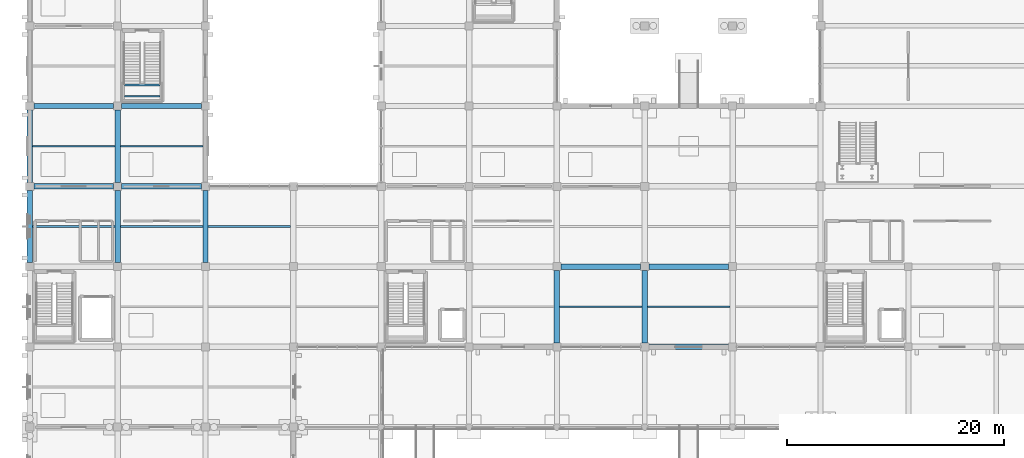
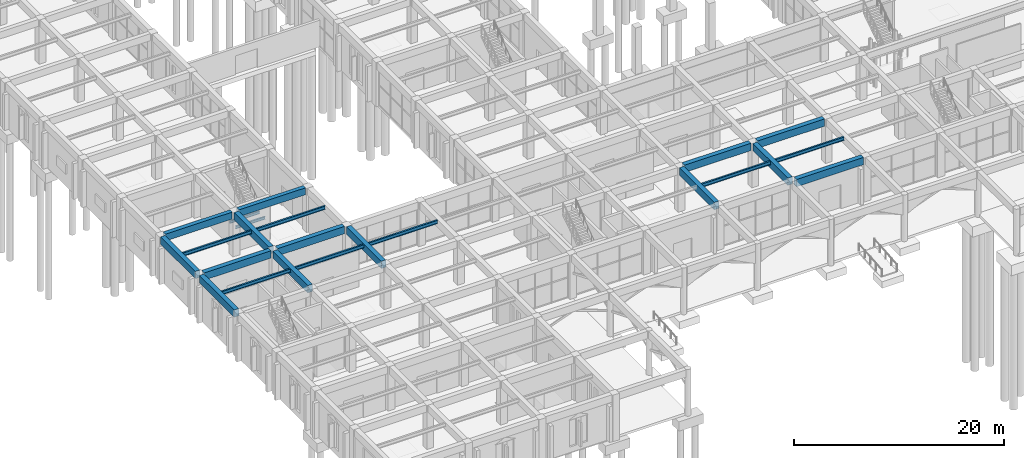
# One storey, part 11 of 140: 23 beams.
"""IFC4 building model written with IfcOpenShell, lengths in metres."""

from ifc_helpers import new_model, si_unit, direction, frame, origin, origin_2d, place, context, subcontext, project, spatial, rectangle, i_section, extrude, material, material_profile, profile_set, type_object, element, save


model = new_model("IFC4")

# Units and contexts
model_context = context("Model", 3, precision=1e-05, world=origin(), true_north=direction((0.0, 1.0)))
body_context = subcontext(model_context, "Body", "Model", "MODEL_VIEW")
ifc_project = project(units=[si_unit("LENGTHUNIT", "METRE"), si_unit("AREAUNIT", "SQUARE_METRE"), si_unit("VOLUMEUNIT", "CUBIC_METRE"), si_unit("PLANEANGLEUNIT", "RADIAN"), si_unit("MASSUNIT", "GRAM", prefix="KILO")], contexts=[model_context])

# Site, building, storey
site_placement = place(None, origin())
site = spatial("IfcSite", under=ifc_project, at=site_placement, CompositionType="ELEMENT")
building_placement = place(site_placement, origin())
building = spatial("IfcBuilding", under=site, at=building_placement, Name="Cimatlan Art Gallery", CompositionType="ELEMENT")
storey_placement = place(building_placement, origin())
storey = spatial("IfcBuildingStorey", under=building, at=storey_placement, Name="L00", CompositionType="ELEMENT", Elevation=0.0)

# Beams
ifc_material_1 = material(Name="Concrete C40/50", Category="concrete")
ifc_material_profile_1 = material_profile(ifc_material_1, rectangle(XDim=0.449951171875, YDim=0.800048828125, at=origin_2d()), Name="RC450X800")
ifc_profile_set_1 = profile_set([ifc_material_profile_1], Name="Concrete C40/50")
beam_type_1 = type_object("IfcBeamType", Name="BM-RC-450X800", PredefinedType="BEAM", material=ifc_profile_set_1)
beam_1_placement = place(storey_placement, frame((2.375, 46.10009765625, 4.735107421875), z_axis=(1.0, 0.0, 0.0), x_axis=(0.0, 1.0, 0.0)))
element("IfcBeam", 1, at=beam_1_placement, inside=storey, type_object=beam_type_1, Name="BM-X-L00-00-06", PredefinedType="BEAM", context=body_context, shape_type="SweptSolid", body=[
    extrude(rectangle(XDim=0.449951171875, YDim=0.800048828125, at=origin_2d()), origin(), (0.0, 0.0, 1.0), 7.35009765625),
])
beam_2_placement = place(storey_placement, frame((10.47509765625, 46.10009765625, 4.735107421875), z_axis=(1.0, 0.0, 0.0), x_axis=(0.0, 1.0, 0.0)))
element("IfcBeam", 2, at=beam_2_placement, inside=storey, type_object=beam_type_1, Name="BM-X-L00-01-06", PredefinedType="BEAM", context=body_context, shape_type="SweptSolid", body=[
    extrude(rectangle(XDim=0.449951171875, YDim=0.800048828125, at=origin_2d()), origin(), (0.0, 0.0, 1.0), 7.349853515625),
])
ifc_material_profile_2 = material_profile(ifc_material_1, rectangle(XDim=0.5, YDim=0.85009765625, at=origin_2d()), Name="RC500X850")
ifc_profile_set_2 = profile_set([ifc_material_profile_2], Name="Concrete C40/50")
beam_type_2 = type_object("IfcBeamType", Name="BM-RC-500X850", PredefinedType="BEAM", material=ifc_profile_set_2)
beam_3_placement = place(storey_placement, frame((2.0, 31.675048828125, 4.7099609375), z_axis=(0.0, 1.0, 0.0), x_axis=(-1.0, 0.0, 0.0)))
element("IfcBeam", 3, at=beam_3_placement, inside=storey, type_object=beam_type_2, Name="BM-Y-L00-00-04", PredefinedType="BEAM", context=body_context, shape_type="SweptSolid", body=[
    extrude(rectangle(XDim=0.5, YDim=0.85009765625, at=origin_2d()), origin(), (0.0, 0.0, 1.0), 6.64990234375),
])
beam_4_placement = place(storey_placement, frame((2.0, 39.074951171875, 4.7099609375), z_axis=(0.0, 1.0, 0.0), x_axis=(-1.0, 0.0, 0.0)))
element("IfcBeam", 4, at=beam_4_placement, inside=storey, type_object=beam_type_2, Name="BM-Y-L00-00-05", PredefinedType="BEAM", context=body_context, shape_type="SweptSolid", body=[
    extrude(rectangle(XDim=0.5, YDim=0.85009765625, at=origin_2d()), origin(), (0.0, 0.0, 1.0), 6.650146484375),
])
beam_5_placement = place(storey_placement, frame((10.10009765625, 31.675048828125, 4.7099609375), z_axis=(0.0, 1.0, 0.0), x_axis=(-1.0, 0.0, 0.0)))
element("IfcBeam", 5, at=beam_5_placement, inside=storey, type_object=beam_type_2, Name="BM-Y-L00-01-04", PredefinedType="BEAM", context=body_context, shape_type="SweptSolid", body=[
    extrude(rectangle(XDim=0.5, YDim=0.85009765625, at=origin_2d()), origin(), (0.0, 0.0, 1.0), 6.64990234375),
])
beam_6_placement = place(storey_placement, frame((10.10009765625, 39.074951171875, 4.7099609375), z_axis=(0.0, 1.0, 0.0), x_axis=(-1.0, 0.0, 0.0)))
element("IfcBeam", 6, at=beam_6_placement, inside=storey, type_object=beam_type_2, Name="BM-Y-L00-01-05", PredefinedType="BEAM", context=body_context, shape_type="SweptSolid", body=[
    extrude(rectangle(XDim=0.5, YDim=0.85009765625, at=origin_2d()), origin(), (0.0, 0.0, 1.0), 6.650146484375),
])
beam_7_placement = place(storey_placement, frame((18.199951171875, 31.675048828125, 4.7099609375), z_axis=(0.0, 1.0, 0.0), x_axis=(-1.0, 0.0, 0.0)))
element("IfcBeam", 7, at=beam_7_placement, inside=storey, type_object=beam_type_2, Name="BM-Y-L00-02-04", PredefinedType="BEAM", context=body_context, shape_type="SweptSolid", body=[
    extrude(rectangle(XDim=0.5, YDim=0.85009765625, at=origin_2d()), origin(), (0.0, 0.0, 1.0), 6.64990234375),
])
for number, where, z_axis, x_axis, name in (
    (8, (50.60009765625, 24.27490234375, 4.7099609375), (0.0, 1.0, 0.0), (-1.0, 0.0, 0.0), "BM-Y-L00-06-03"),
    (9, (58.699951171875, 24.27490234375, 4.7099609375), (0.0, 1.0, 0.0), (-1.0, 0.0, 0.0), "BM-Y-L00-07-03"),
):
    element("IfcBeam", number, at=place(storey_placement, frame(where, z_axis=z_axis, x_axis=x_axis)), inside=storey, type_object=beam_type_2, Name=name, PredefinedType="BEAM", context=body_context, shape_type="SweptSolid", body=[
        extrude(rectangle(XDim=0.5, YDim=0.85009765625, at=origin_2d()), origin(), (0.0, 0.0, 1.0), 6.650146484375),
    ])
beam_8_placement = place(storey_placement, frame((2.375, 38.699951171875, 4.7099609375), z_axis=(1.0, 0.0, 0.0), x_axis=(0.0, 1.0, 0.0)))
element("IfcBeam", 10, at=beam_8_placement, inside=storey, type_object=beam_type_2, Name="BM-X-L00-00-05", PredefinedType="BEAM", context=body_context, shape_type="SweptSolid", body=[
    extrude(rectangle(XDim=0.5, YDim=0.85009765625, at=origin_2d()), origin(), (0.0, 0.0, 1.0), 7.35009765625),
])
for number, where, z_axis, x_axis, name in (
    (11, (10.47509765625, 38.699951171875, 4.7099609375), (1.0, 0.0, 0.0), (0.0, 1.0, 0.0), "BM-X-L00-01-05"),
    (12, (50.97509765625, 31.300048828125, 4.7099609375), (1.0, 0.0, 0.0), (0.0, 1.0, 0.0), "BM-X-L00-06-04"),
):
    element("IfcBeam", number, at=place(storey_placement, frame(where, z_axis=z_axis, x_axis=x_axis)), inside=storey, type_object=beam_type_2, Name=name, PredefinedType="BEAM", context=body_context, shape_type="SweptSolid", body=[
        extrude(rectangle(XDim=0.5, YDim=0.85009765625, at=origin_2d()), origin(), (0.0, 0.0, 1.0), 7.349853515625),
    ])
for number, where, z_axis, x_axis, name in (
    (13, (59.074951171875, 23.89990234375, 4.7099609375), (1.0, 0.0, 0.0), (0.0, 1.0, 0.0), "BM-X-L00-07-03"),
    (14, (59.074951171875, 31.300048828125, 4.7099609375), (1.0, 0.0, 0.0), (0.0, 1.0, 0.0), "BM-X-L00-07-04"),
):
    element("IfcBeam", number, at=place(storey_placement, frame(where, z_axis=z_axis, x_axis=x_axis)), inside=storey, type_object=beam_type_2, Name=name, PredefinedType="BEAM", context=body_context, shape_type="SweptSolid", body=[
        extrude(rectangle(XDim=0.5, YDim=0.85009765625, at=origin_2d()), origin(), (0.0, 0.0, 1.0), 7.35009765625),
    ])
ifc_material_2 = material(Name="Steel ASTM A992 Grade 50", Category="steel")
ifc_material_profile_3 = material_profile(ifc_material_2, i_section(OverallWidth=0.1650390625, OverallDepth=0.31005859375, WebThickness=0.005859375, FlangeThickness=0.009765625, at=origin_2d()), Name="W12X26")
ifc_profile_set_3 = profile_set([ifc_material_profile_3], Name="Steel ASTM A992 Grade 50")
beam_type_3 = type_object("IfcBeamType", Name="BM-STL-W12X26", PredefinedType="JOIST", material=ifc_profile_set_3)
for number, where, z_axis, x_axis, name in (
    (15, (10.715087890625, 47.0, 2.324951171875), (1.0, 0.0, 0.0), (0.0, 1.0, 0.0), "BM-STR-C7-L00-LH1"),
    (16, (10.715087890625, 48.054931640625, 2.324951171875), (1.0, 0.0, 0.0), (0.0, 1.0, 0.0), "BM-STR-C7-L00-LH2"),
):
    element("IfcBeam", number, at=place(storey_placement, frame(where, z_axis=z_axis, x_axis=x_axis)), inside=storey, type_object=beam_type_3, Name=name, PredefinedType="JOIST", context=body_context, shape_type="SweptSolid", body=[
        extrude(i_section(OverallWidth=0.1650390625, OverallDepth=0.31005859375, WebThickness=0.005859375, FlangeThickness=0.009765625, at=origin_2d()), origin(), (0.0, 0.0, 1.0), 3.289794921875),
    ])
ifc_material_profile_4 = material_profile(ifc_material_2, i_section(OverallWidth=0.177978515625, OverallDepth=0.406982421875, WebThickness=0.0078125, FlangeThickness=0.0126953125, at=origin_2d()), Name="W16X40")
ifc_profile_set_4 = profile_set([ifc_material_profile_4], Name="Steel ASTM A992 Grade 50")
beam_type_4 = type_object("IfcBeamType", Name="BM-STL-W16X40", PredefinedType="JOIST", material=ifc_profile_set_4)
for number, where, z_axis, x_axis, name in (
    (17, (2.25, 35.0, 4.931396484375), (1.0, 0.0, 0.0), (0.0, 1.0, 0.0), "JST-L00-00-04"),
    (18, (2.25, 42.39990234375, 4.931396484375), (1.0, 0.0, 0.0), (0.0, 1.0, 0.0), "JST-L00-00-05"),
):
    element("IfcBeam", number, at=place(storey_placement, frame(where, z_axis=z_axis, x_axis=x_axis)), inside=storey, type_object=beam_type_4, Name=name, PredefinedType="JOIST", context=body_context, shape_type="SweptSolid", body=[
        extrude(i_section(OverallWidth=0.177978515625, OverallDepth=0.406982421875, WebThickness=0.0078125, FlangeThickness=0.0126953125, at=origin_2d()), origin(), (0.0, 0.0, 1.0), 7.60009765625),
    ])
for number, where, z_axis, x_axis, name in (
    (19, (10.35009765625, 35.0, 4.931396484375), (1.0, 0.0, 0.0), (0.0, 1.0, 0.0), "JST-L00-01-04"),
    (20, (10.35009765625, 42.39990234375, 4.931396484375), (1.0, 0.0, 0.0), (0.0, 1.0, 0.0), "JST-L00-01-05"),
):
    element("IfcBeam", number, at=place(storey_placement, frame(where, z_axis=z_axis, x_axis=x_axis)), inside=storey, type_object=beam_type_4, Name=name, PredefinedType="JOIST", context=body_context, shape_type="SweptSolid", body=[
        extrude(i_section(OverallWidth=0.177978515625, OverallDepth=0.406982421875, WebThickness=0.0078125, FlangeThickness=0.0126953125, at=origin_2d()), origin(), (0.0, 0.0, 1.0), 7.599853515625),
    ])
beam_9_placement = place(storey_placement, frame((18.449951171875, 35.0, 4.931396484375), z_axis=(1.0, 0.0, 0.0), x_axis=(0.0, 1.0, 0.0)))
element("IfcBeam", 21, at=beam_9_placement, inside=storey, type_object=beam_type_4, Name="JST-L00-02-04", PredefinedType="JOIST", context=body_context, shape_type="SweptSolid", body=[
    extrude(i_section(OverallWidth=0.177978515625, OverallDepth=0.406982421875, WebThickness=0.0078125, FlangeThickness=0.0126953125, at=origin_2d()), origin(), (0.0, 0.0, 1.0), 7.60009765625),
])
beam_10_placement = place(storey_placement, frame((50.85009765625, 27.60009765625, 4.931396484375), z_axis=(1.0, 0.0, 0.0), x_axis=(0.0, 1.0, 0.0)))
element("IfcBeam", 22, at=beam_10_placement, inside=storey, type_object=beam_type_4, Name="JST-L00-06-03", PredefinedType="JOIST", context=body_context, shape_type="SweptSolid", body=[
    extrude(i_section(OverallWidth=0.177978515625, OverallDepth=0.406982421875, WebThickness=0.0078125, FlangeThickness=0.0126953125, at=origin_2d()), origin(), (0.0, 0.0, 1.0), 7.599853515625),
])
beam_11_placement = place(storey_placement, frame((58.949951171875, 27.60009765625, 4.931396484375), z_axis=(1.0, 0.0, 0.0), x_axis=(0.0, 1.0, 0.0)))
element("IfcBeam", 23, at=beam_11_placement, inside=storey, type_object=beam_type_4, Name="JST-L00-07-03", PredefinedType="JOIST", context=body_context, shape_type="SweptSolid", body=[
    extrude(i_section(OverallWidth=0.177978515625, OverallDepth=0.406982421875, WebThickness=0.0078125, FlangeThickness=0.0126953125, at=origin_2d()), origin(), (0.0, 0.0, 1.0), 7.60009765625),
])

save(model, "model.ifc")
